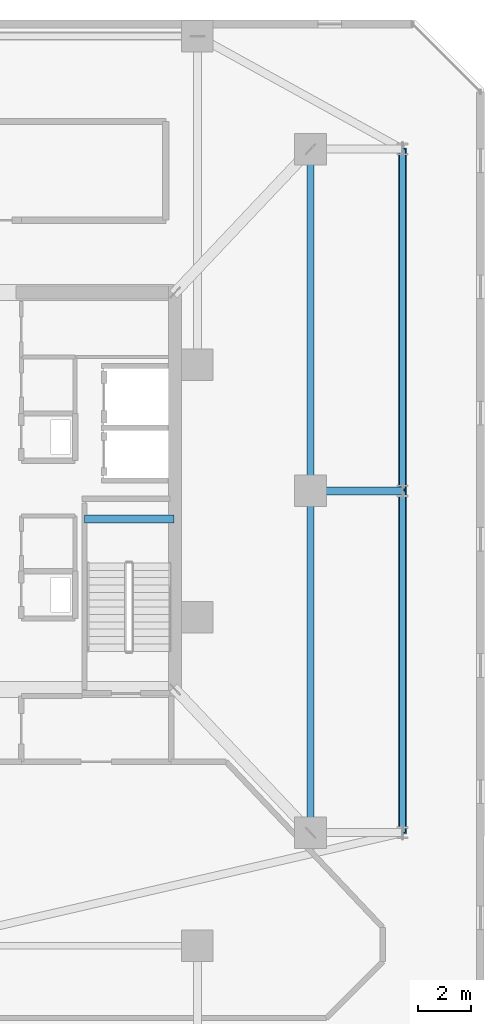
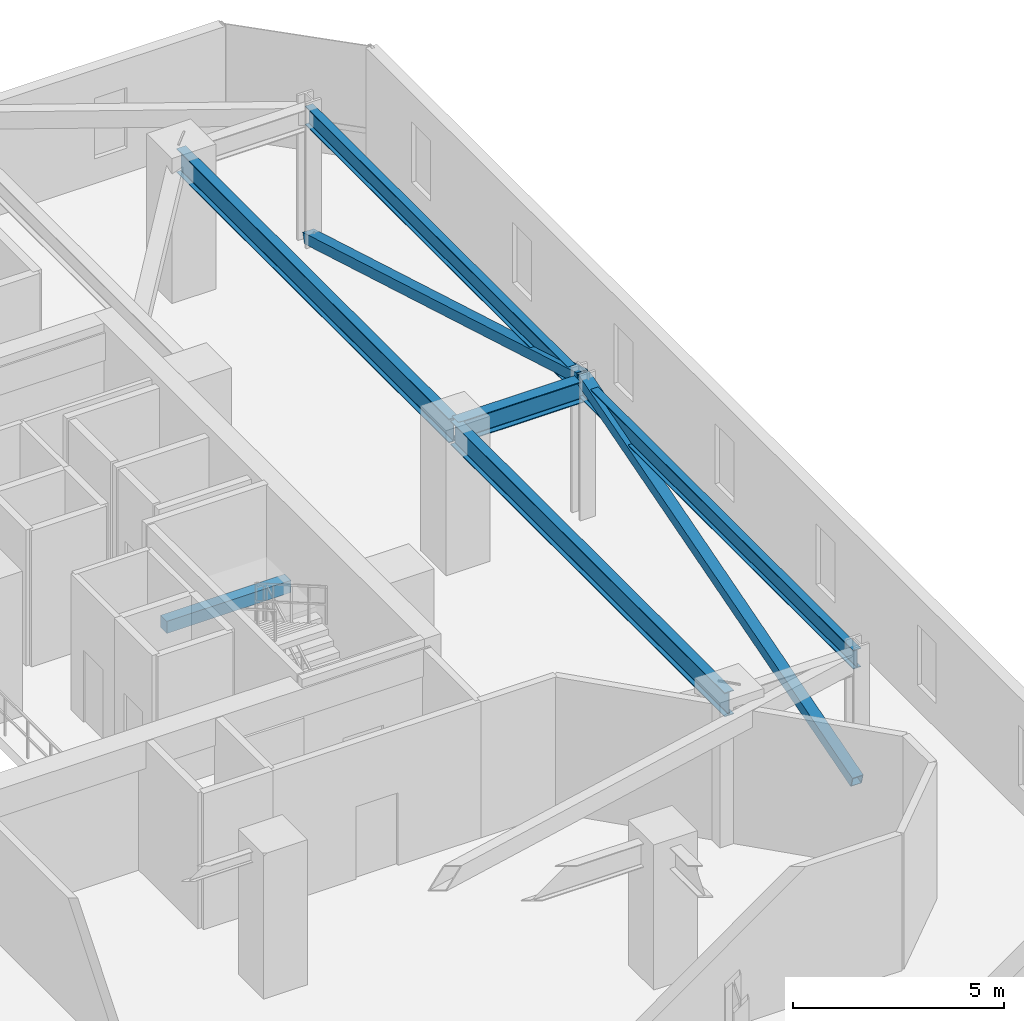
# One storey, part 24 of 45: 6 beams, 2 members.
"""IFC4 building model written with IfcOpenShell, lengths in metres."""

from ifc_helpers import new_model, si_unit, direction, frame, origin, origin_2d, place, context, subcontext, project, spatial, rectangle, hollow_rectangle, i_section, extrude, material, material_profile, profile_set, type_object, element, save


model = new_model("IFC4")

# Units and contexts
model_context = context("Model", 3, precision=1e-05, world=origin(), true_north=direction((0.0, 1.0)))
body_context = subcontext(model_context, "Body", "Model", "MODEL_VIEW")
ifc_project = project(units=[si_unit("LENGTHUNIT", "METRE"), si_unit("AREAUNIT", "SQUARE_METRE"), si_unit("VOLUMEUNIT", "CUBIC_METRE"), si_unit("PLANEANGLEUNIT", "RADIAN"), si_unit("MASSUNIT", "GRAM", prefix="KILO")], contexts=[model_context])

# Site, building, storey
site_placement = place(None, origin())
site = spatial("IfcSite", under=ifc_project, at=site_placement, CompositionType="ELEMENT")
building_placement = place(site_placement, origin())
building = spatial("IfcBuilding", under=site, at=building_placement, Name="Thornwick Lancets Civic Towers", CompositionType="ELEMENT")
storey_placement = place(building_placement, frame((0.0, 0.0, 141.300048828125)))
storey = spatial("IfcBuildingStorey", under=building, at=storey_placement, Name="L37", CompositionType="ELEMENT", Elevation=141.300048828125)

# Beams
ifc_material_1 = material(Name="Steel S355JR", Category="steel")
ifc_material_profile_1 = material_profile(ifc_material_1, i_section(OverallWidth=0.2119140625, OverallDepth=0.54443359375, WebThickness=0.0126953125, FlangeThickness=0.021240234375, FilletRadius=0.0126953125, at=origin_2d()), Name="UKB 533x210x122")
ifc_profile_set_1 = profile_set([ifc_material_profile_1], Name="Steel S355JR")
beam_type_1 = type_object("IfcBeamType", Name="BM_EDGE_533_122", PredefinedType="SPANDREL", material=ifc_profile_set_1)
beam_1_placement = place(storey_placement, frame((109.300048828125, 14.0, 3.687744140625), z_axis=(0.0, 1.0, 0.0), x_axis=(-1.0, 0.0, 0.0)))
element("IfcBeam", 1, at=beam_1_placement, inside=storey, type_object=beam_type_1, Name="BM-EDGE-L37-B-S0-1", PredefinedType="SPANDREL", context=body_context, shape_type="SweptSolid", body=[
    extrude(i_section(OverallWidth=0.2119140625, OverallDepth=0.54443359375, WebThickness=0.0126953125, FlangeThickness=0.021240234375, FilletRadius=0.0126953125, at=origin_2d()), origin(), (0.0, 0.0, 1.0), 13.0),
])
beam_2_placement = place(storey_placement, frame((109.300048828125, 27.080078125, 3.687744140625), z_axis=(0.0, 1.0, 0.0), x_axis=(-1.0, 0.0, 0.0)))
element("IfcBeam", 2, at=beam_2_placement, inside=storey, type_object=beam_type_1, Name="BM-EDGE-L37-B-S0-2", PredefinedType="SPANDREL", context=body_context, shape_type="SweptSolid", body=[
    extrude(i_section(OverallWidth=0.2119140625, OverallDepth=0.54443359375, WebThickness=0.0126953125, FlangeThickness=0.021240234375, FilletRadius=0.0126953125, at=origin_2d()), origin(), (0.0, 0.0, 1.0), 12.919921875),
])
ifc_material_profile_2 = material_profile(ifc_material_1, i_section(OverallWidth=0.30712890625, OverallDepth=0.6201171875, WebThickness=0.01416015625, FlangeThickness=0.023681640625, FilletRadius=0.0166015625, at=origin_2d()), Name="UKB 610x305x179")
ifc_profile_set_2 = profile_set([ifc_material_profile_2], Name="Steel S355JR")
beam_type_2 = type_object("IfcBeamType", Name="BM_GIRD_610_179", PredefinedType="BEAM", material=ifc_profile_set_2)
beam_3_placement = place(storey_placement, frame((105.800048828125, 27.0, 3.64990234375), z_axis=(1.0, 0.0, 0.0), x_axis=(0.0, 1.0, 0.0)))
element("IfcBeam", 3, at=beam_3_placement, inside=storey, type_object=beam_type_2, Name="BM-RAD-L37-B02", PredefinedType="BEAM", context=body_context, shape_type="SweptSolid", body=[
    extrude(i_section(OverallWidth=0.30712890625, OverallDepth=0.6201171875, WebThickness=0.01416015625, FlangeThickness=0.023681640625, FilletRadius=0.0166015625, at=origin_2d()), origin(), (0.0, 0.0, 1.0), 3.5),
])
ifc_material_profile_3 = material_profile(ifc_material_1, i_section(OverallWidth=0.255859375, OverallDepth=0.69287109375, WebThickness=0.014404296875, FlangeThickness=0.023681640625, FilletRadius=0.01513671875, at=origin_2d()), Name="UKB 686x254x170")
ifc_profile_set_3 = profile_set([ifc_material_profile_3], Name="Steel S355JR")
beam_type_3 = type_object("IfcBeamType", Name="BM_GIRD_686_170", PredefinedType="BEAM", material=ifc_profile_set_3)
beam_4_placement = place(storey_placement, frame((105.800048828125, 14.0, 3.613525390625), z_axis=(0.0, 1.0, 0.0), x_axis=(-1.0, 0.0, 0.0)))
element("IfcBeam", 4, at=beam_4_placement, inside=storey, type_object=beam_type_3, Name="BM-SPINE-L37-B-0-1", PredefinedType="BEAM", context=body_context, shape_type="SweptSolid", body=[
    extrude(i_section(OverallWidth=0.255859375, OverallDepth=0.69287109375, WebThickness=0.014404296875, FlangeThickness=0.023681640625, FilletRadius=0.01513671875, at=origin_2d()), origin(), (0.0, 0.0, 1.0), 13.0),
])
beam_5_placement = place(storey_placement, frame((105.800048828125, 27.080078125, 3.613525390625), z_axis=(0.0, 1.0, 0.0), x_axis=(-1.0, 0.0, 0.0)))
element("IfcBeam", 5, at=beam_5_placement, inside=storey, type_object=beam_type_3, Name="BM-SPINE-L37-B-1-2", PredefinedType="BEAM", context=body_context, shape_type="SweptSolid", body=[
    extrude(i_section(OverallWidth=0.255859375, OverallDepth=0.69287109375, WebThickness=0.014404296875, FlangeThickness=0.023681640625, FilletRadius=0.01513671875, at=origin_2d()), origin(), (0.0, 0.0, 1.0), 12.919921875),
])
ifc_material_2 = material(Name="Concrete C40/50", Category="concrete")
ifc_material_profile_4 = material_profile(ifc_material_2, rectangle(XDim=0.300048828125, YDim=0.35009765625, at=origin_2d()), Name="RC 300x350")
ifc_profile_set_4 = profile_set([ifc_material_profile_4], Name="Concrete C40/50")
beam_type_4 = type_object("IfcBeamType", Name="BM_STAIR_LDG", PredefinedType="BEAM", material=ifc_profile_set_4)
beam_6_placement = place(storey_placement, frame((100.60009765625, 25.93505859375, 1.677978515625), z_axis=(-1.0, 0.0, 0.0), x_axis=(0.0, -1.0, 0.0)))
element("IfcBeam", 6, at=beam_6_placement, inside=storey, type_object=beam_type_4, Name="L37 ST-B1 Landing Support Beam 1", PredefinedType="BEAM", context=body_context, shape_type="SweptSolid", body=[
    extrude(rectangle(XDim=0.300048828125, YDim=0.35009765625, at=origin_2d()), origin(), (0.0, 0.0, 1.0), 3.400146484375),
])

# Members
ifc_material_3 = material(Name="Steel S460M", Category="steel")
ifc_material_profile_5 = material_profile(ifc_material_3, hollow_rectangle(XDim=0.300048828125, YDim=0.300048828125, WallThickness=0.01611328125, at=origin_2d()), Name="SHS 300x300x16")
ifc_profile_set_5 = profile_set([ifc_material_profile_5], Name="Steel S460M")
member_type = type_object("IfcMemberType", Name="MEM_BELT_SHS300", PredefinedType="BRACE", material=ifc_profile_set_5)
for number, where, z_axis, x_axis, name in (
    (7, (109.300048828125, 14.0, 0.14990234375), (0.0, 0.959634246783, 0.281250977601), (-1.0, 0.0, 0.0), "L37 Belt Truss Diagonal B-S0-1"),
    (8, (109.300048828125, 40.0, 0.14990234375), (0.0, -0.959634246783, 0.281250977601), (1.0, 0.0, 0.0), "L37 Belt Truss Diagonal B-S0-2"),
):
    element("IfcMember", number, at=place(storey_placement, frame(where, z_axis=z_axis, x_axis=x_axis)), inside=storey, type_object=member_type, Name=name, PredefinedType="BRACE", context=body_context, shape_type="SweptSolid", body=[
        extrude(hollow_rectangle(XDim=0.300048828125, YDim=0.300048828125, WallThickness=0.01611328125, at=origin_2d()), origin(), (0.0, 0.0, 1.0), 13.546875),
    ])

save(model, "model.ifc")
